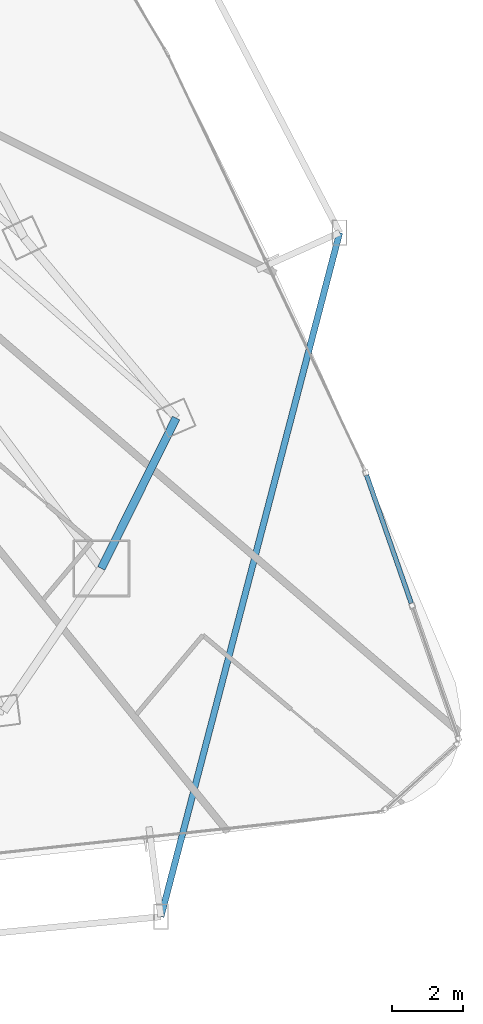
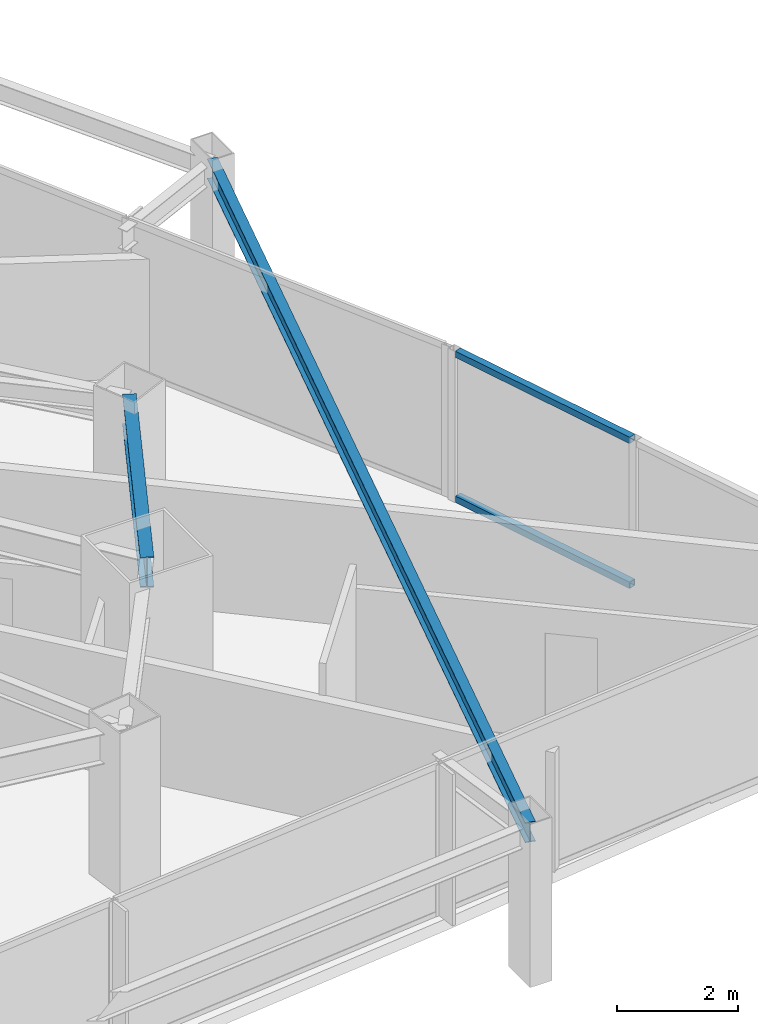
# One storey, part 15 of 35: 2 beams, 2 members, 1 element without a shape of its own.
"""IFC4 building model written with IfcOpenShell, lengths in metres."""

from ifc_helpers import new_model, si_unit, direction, frame, origin, origin_2d, place, context, subcontext, project, spatial, hollow_rectangle, i_section, extrude, material, layer, layer_set, material_profile, profile_set, type_object, element, aggregate, save


model = new_model("IFC4")

# Units and contexts
model_context = context("Model", 3, precision=1e-05, world=origin(), true_north=direction((0.0, 1.0)))
body_context = subcontext(model_context, "Body", "Model", "MODEL_VIEW")
ifc_project = project(units=[si_unit("LENGTHUNIT", "METRE"), si_unit("AREAUNIT", "SQUARE_METRE"), si_unit("VOLUMEUNIT", "CUBIC_METRE"), si_unit("PLANEANGLEUNIT", "RADIAN"), si_unit("MASSUNIT", "GRAM", prefix="KILO")], contexts=[model_context])

# Site, building, storey
site_placement = place(None, origin())
site = spatial("IfcSite", under=ifc_project, at=site_placement, CompositionType="ELEMENT")
building_placement = place(site_placement, origin())
building = spatial("IfcBuilding", under=site, at=building_placement, Name="Orvanel Arch Residences", CompositionType="ELEMENT")
storey_placement = place(building_placement, frame((0.0, 0.0, 36.800048828125)))
storey = spatial("IfcBuildingStorey", under=building, at=storey_placement, Name="L09", CompositionType="ELEMENT", Elevation=36.800048828125)

# Beams
ifc_material_1 = material(Name="Structural steel AS/NZS 3679.1 Grade 300 (300 MPa)", Category="steel")
ifc_material_profile_1 = material_profile(ifc_material_1, i_section(OverallWidth=0.177978515625, OverallDepth=0.406005859375, WebThickness=0.0078125, FlangeThickness=0.0126953125, at=origin_2d()), Name="410UB59.7")
ifc_profile_set_1 = profile_set([ifc_material_profile_1], Name="Structural steel AS/NZS 3679.1 Grade 300 (300 MPa)")
beam_type_1 = type_object("IfcBeamType", Name="OB-410UB-EXT", PredefinedType="SPANDREL", material=ifc_profile_set_1)
beam_1_placement = place(storey_placement, frame((53.47607421875, 0.55810546875, 2.85693359375), z_axis=(0.252814821994, 0.967514685046, 0.0), x_axis=(-0.967514685046, 0.252814821994, 0.0)))
element("IfcBeam", 1, at=beam_1_placement, inside=storey, type_object=beam_type_1, Name="L09 Outer Perimeter Floor Ring Beam 08", PredefinedType="SPANDREL", context=body_context, shape_type="SweptSolid", body=[
    extrude(i_section(OverallWidth=0.177978515625, OverallDepth=0.406005859375, WebThickness=0.0078125, FlangeThickness=0.0126953125, at=origin_2d()), origin(), (0.0, 0.0, 1.0), 19.879638671875),
])
ifc_material_profile_2 = material_profile(ifc_material_1, i_section(OverallWidth=0.22900390625, OverallDepth=0.612060546875, WebThickness=0.011962890625, FlangeThickness=0.01953125, at=origin_2d()), Name="610UB125")
ifc_profile_set_2 = profile_set([ifc_material_profile_2], Name="Structural steel AS/NZS 3679.1 Grade 300 (300 MPa)")
beam_type_2 = type_object("IfcBeamType", Name="SP-610UB", PredefinedType="SPANDREL", material=ifc_profile_set_2)
beam_2_placement = place(storey_placement, frame((51.801025390625, 10.35107421875, 2.75390625), z_axis=(0.44543469453, 0.895314432425, 0.0), x_axis=(-0.895314432425, 0.44543469453, 0.0)))
element("IfcBeam", 2, at=beam_2_placement, inside=storey, type_object=beam_type_2, Name="L09 Perimeter Spandrel Beam 11", PredefinedType="SPANDREL", context=body_context, shape_type="SweptSolid", body=[
    extrude(i_section(OverallWidth=0.22900390625, OverallDepth=0.612060546875, WebThickness=0.011962890625, FlangeThickness=0.01953125, at=origin_2d()), origin(), (0.0, 0.0, 1.0), 4.723388671875),
])

# Curtain wall, members
ifc_material_2 = material(Name="Bronze-anodised aluminium AA6063-T6", Category="aluminium")
ifc_layer = layer(ifc_material_2, 0.18994140625)
ifc_layer_set = layer_set([ifc_layer], Name="Bronze-anodised aluminium AA6063-T6")
curtain_wall_type = type_object("IfcCurtainWallType", Name="CW5-CRN-SYS", PredefinedType="NOTDEFINED", material=ifc_layer_set)
curtain_wall_placement = place(storey_placement, origin())
curtain_wall = element("IfcCurtainWall", 3, at=curtain_wall_placement, inside=storey, type_object=curtain_wall_type, Name="L09 CW5-CRN-SYS Unitised Curtain Wall", PredefinedType="NOTDEFINED")
ifc_material_profile_3 = material_profile(ifc_material_2, hollow_rectangle(XDim=0.1298828125, YDim=0.1298828125, WallThickness=0.00439453125, at=origin_2d()), Name="ALU130x130x4.5")
ifc_profile_set_3 = profile_set([ifc_material_profile_3], Name="Bronze-anodised aluminium AA6063-T6")
member_type = type_object("IfcMemberType", Name="TRN-130x130", PredefinedType="USERDEFINED", material=ifc_profile_set_3)
member_1_placement = place(storey_placement, frame((60.513916015625, 9.373779296875, 0.06494140625), z_axis=(-0.329288460288, 0.944229373575, 0.0), x_axis=(-0.944229373575, -0.329288460288, 0.0)))
member_1 = element("IfcMember", 4, at=member_1_placement, type_object=member_type, Name="CW-S5 transom 2.1", ObjectType="TRANSOM", PredefinedType="USERDEFINED", context=body_context, shape_type="SweptSolid", body=[
    extrude(hollow_rectangle(XDim=0.1298828125, YDim=0.1298828125, WallThickness=0.00439453125, at=origin_2d()), origin(), (0.0, 0.0, 1.0), 3.81005859375),
])
member_2_placement = place(storey_placement, frame((60.513916015625, 9.373779296875, 2.994873046875), z_axis=(-0.329288460288, 0.944229373575, 0.0), x_axis=(-0.944229373575, -0.329288460288, 0.0)))
member_2 = element("IfcMember", 5, at=member_2_placement, type_object=member_type, Name="CW-S5 transom 2.2", ObjectType="TRANSOM", PredefinedType="USERDEFINED", context=body_context, shape_type="SweptSolid", body=[
    extrude(hollow_rectangle(XDim=0.1298828125, YDim=0.1298828125, WallThickness=0.00439453125, at=origin_2d()), origin(), (0.0, 0.0, 1.0), 3.81005859375),
])
aggregate(curtain_wall, [member_1, member_2])

save(model, "model.ifc")
